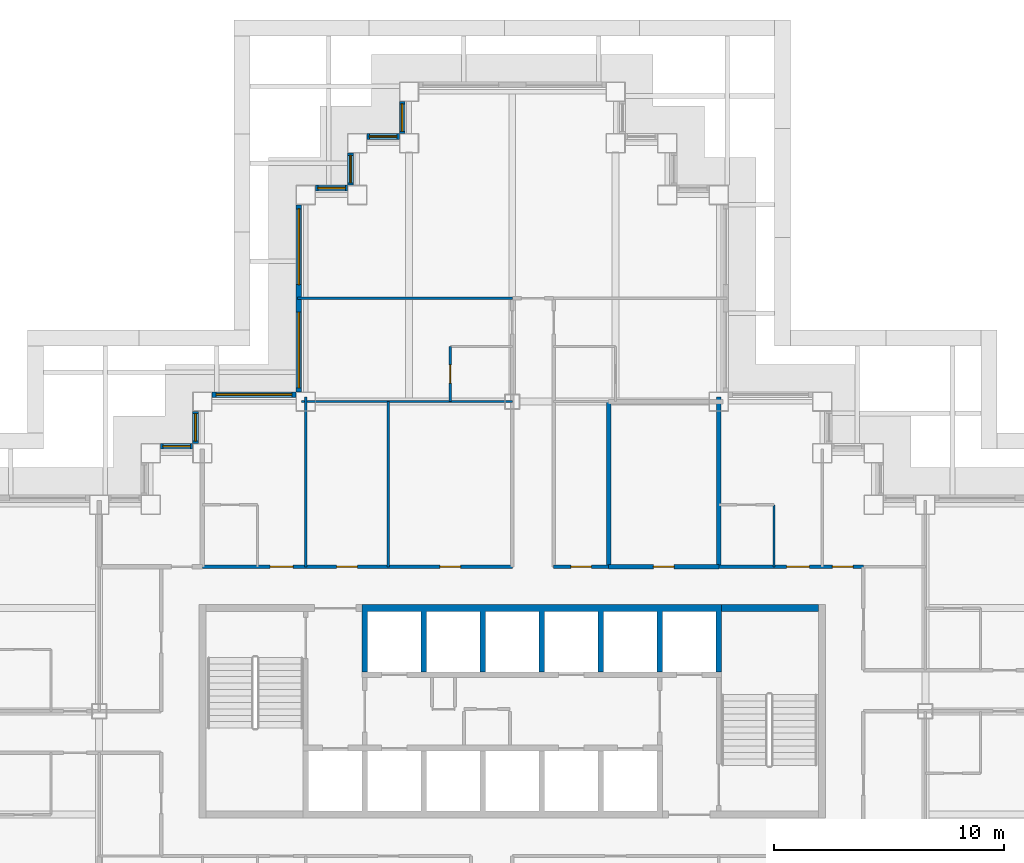
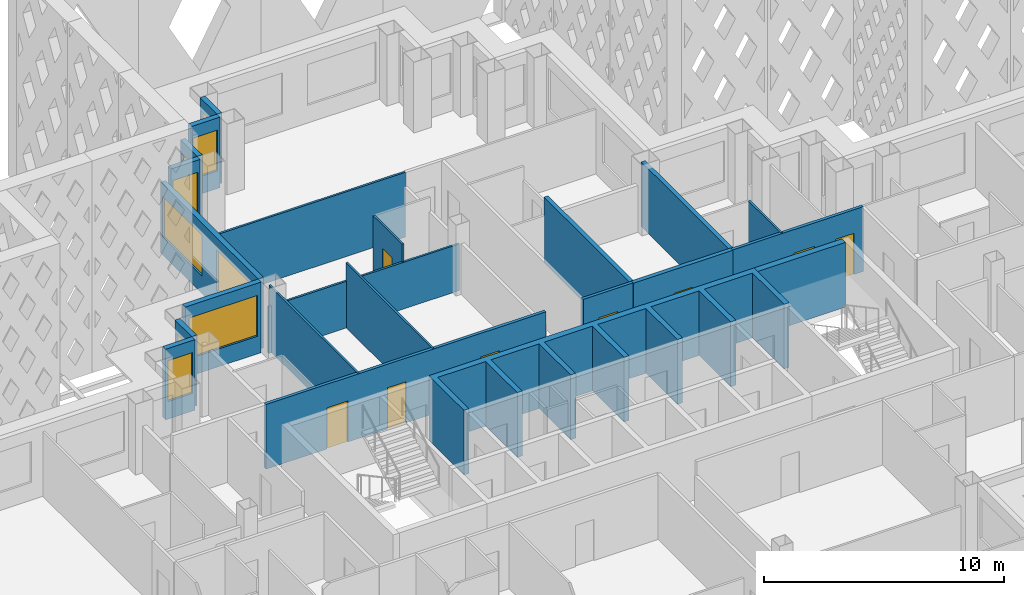
# One storey, part 9 of 21: 22 walls, 9 windows, 8 doors, 17 openings.
"""IFC4 building model written with IfcOpenShell, lengths in metres."""

from ifc_helpers import new_model, si_unit, direction, frame, frame_2d, origin, place, context, subcontext, project, spatial, polyline, rectangle, outline, extrude, material, layer, layer_set, type_object, element, fill, save


model = new_model("IFC4")

# Units and contexts
model_context = context("Model", 3, precision=1e-05, world=origin(), true_north=direction((0.0, 1.0)))
body_context = subcontext(model_context, "Body", "Model", "MODEL_VIEW")
ifc_project = project(units=[si_unit("LENGTHUNIT", "METRE"), si_unit("AREAUNIT", "SQUARE_METRE"), si_unit("VOLUMEUNIT", "CUBIC_METRE"), si_unit("PLANEANGLEUNIT", "RADIAN"), si_unit("MASSUNIT", "GRAM", prefix="KILO")], contexts=[model_context])

# Site, building, storey
site_placement = place(None, origin())
site = spatial("IfcSite", under=ifc_project, at=site_placement, CompositionType="ELEMENT")
building_placement = place(site_placement, origin())
building = spatial("IfcBuilding", under=site, at=building_placement, Name="Caravel Reach Hotel and Residences", CompositionType="ELEMENT")
storey_placement = place(building_placement, frame((0.0, 0.0, 129.60009765625)))
storey = spatial("IfcBuildingStorey", under=building, at=storey_placement, Name="L32", CompositionType="ELEMENT", Elevation=129.60009765625)

# Wall, opening, door
ifc_material_1 = material(Name="Gypsum board on steel stud", Category="steel")
ifc_layer_1 = layer(ifc_material_1, 0.10009765625)
ifc_layer_set_1 = layer_set([ifc_layer_1], Name="Bathroom pod wall 100 mm")
wall_type_1 = type_object("IfcWallType", Name="Bathroom pod wall 100 mm", PredefinedType="PARTITIONING", material=ifc_layer_set_1)
wall_1_placement = place(storey_placement, frame((28.800048828125, 40.5, 0.0), z_axis=(0.0, 0.0, 1.0), x_axis=(0.0, 1.0, 0.0)))
wall_1 = element("IfcWall", 1, at=wall_1_placement, inside=storey, type_object=wall_type_1, Name="L32 wall w087", PredefinedType="PARTITIONING", context=body_context, shape_type="SweptSolid", body=[
    extrude(rectangle(XDim=2.39990234375, YDim=0.10009765625, at=frame_2d((1.199951171875, 0.0))), origin(), (0.0, 0.0, 1.0), 3.2998046875),
])
opening_1_placement = place(wall_1_placement, frame((0.800048828125, 0.0, 0.0)))
opening_1 = element("IfcOpeningElement", 2, at=opening_1_placement, cuts=wall_1, Name="Opening D32-029", PredefinedType="OPENING", context=body_context, shape_type="SweptSolid", body=[
    extrude(rectangle(XDim=0.800048828125, YDim=2.10009765625, at=frame_2d((0.39990234375, 1.050048828125))), frame((0.0, 0.06005859375, 0.0), z_axis=(0.0, -1.0, 0.0), x_axis=(1.0, 0.0, 0.0)), (0.0, 0.0, 1.0), 0.1201171875),
])
ifc_material_2 = material(Name="Timber and steel door leaf", Category="steel")
door_type_1 = type_object("IfcDoorType", Name="Bathroom door 800 x 2100", OperationType="SINGLE_SWING_LEFT", PredefinedType="DOOR", material=ifc_material_2)
door_1_placement = place(opening_1_placement, origin())
door_1 = element("IfcDoor", 3, at=door_1_placement, inside=storey, type_object=door_type_1, Name="door D32-029", OperationType="SINGLE_SWING_RIGHT", OverallHeight=2.10009765625, OverallWidth=0.800048828125, PredefinedType="DOOR", context=body_context, shape_type="SweptSolid", body=[
    extrude(rectangle(XDim=0.800048828125, YDim=2.10009765625, at=frame_2d((0.39990234375, 1.050048828125))), frame((0.0, 0.02490234375, 0.0), z_axis=(0.0, -1.0, 0.0), x_axis=(1.0, 0.0, 0.0)), (0.0, 0.0, 1.0), 0.050048828125),
])
fill(opening_1, door_1)

# Wall
wall_2_placement = place(storey_placement, frame((42.89990234375, 33.300048828125, 0.0), z_axis=(0.0, 0.0, 1.0), x_axis=(0.0, 1.0, 0.0)))
element("IfcWall", 4, at=wall_2_placement, inside=storey, type_object=wall_type_1, Name="L32 wall w090", PredefinedType="PARTITIONING", context=body_context, shape_type="SweptSolid", body=[
    extrude(rectangle(XDim=2.699951171875, YDim=0.10009765625, at=frame_2d((1.35009765625, 0.0))), origin(), (0.0, 0.0, 1.0), 3.2998046875),
])

# Wall, opening, door
ifc_material_3 = material(Name="Autoclaved aerated block wall")
ifc_layer_2 = layer(ifc_material_3, 0.199951171875)
ifc_layer_set_2 = layer_set([ifc_layer_2], Name="Compartment wall 200 mm EI 120")
wall_type_2 = type_object("IfcWallType", Name="Compartment wall 200 mm EI 120", PredefinedType="PARTITIONING", material=ifc_layer_set_2)
wall_3_placement = place(storey_placement, frame((35.699951171875, 33.300048828125, 0.0), z_axis=(0.0, 0.0, 1.0), x_axis=(1.0, 0.0, 0.0)))
wall_3 = element("IfcWall", 5, at=wall_3_placement, inside=storey, type_object=wall_type_2, Name="L32 wall w096", PredefinedType="PARTITIONING", context=body_context, shape_type="SweptSolid", body=[
    extrude(rectangle(XDim=4.800048828125, YDim=0.199951171875, at=frame_2d((2.39990234375, 0.0))), origin(), (0.0, 0.0, 1.0), 3.2998046875),
])
opening_2_placement = place(wall_3_placement, frame((1.949951171875, 0.0, 0.0)))
opening_2 = element("IfcOpeningElement", 6, at=opening_2_placement, cuts=wall_3, Name="Opening D32-053", PredefinedType="OPENING", context=body_context, shape_type="SweptSolid", body=[
    extrude(rectangle(XDim=0.89990234375, YDim=2.10009765625, at=frame_2d((0.449951171875, 1.050048828125))), frame((0.0, 0.10986328125, 0.0), z_axis=(0.0, -1.0, 0.0), x_axis=(1.0, 0.0, 0.0)), (0.0, 0.0, 1.0), 0.219970703125),
])
ifc_material_4 = material(Name="Steel fire door leaf", Category="steel")
door_type_2 = type_object("IfcDoorType", Name="Riser door 900 x 2100 EI 60", OperationType="SINGLE_SWING_LEFT", PredefinedType="DOOR", material=ifc_material_4)
door_2_placement = place(opening_2_placement, origin())
door_2 = element("IfcDoor", 7, at=door_2_placement, inside=storey, type_object=door_type_2, Name="door D32-053", OperationType="SINGLE_SWING_RIGHT", OverallHeight=2.10009765625, OverallWidth=0.89990234375, PredefinedType="DOOR", context=body_context, shape_type="SweptSolid", body=[
    extrude(rectangle(XDim=0.89990234375, YDim=2.10009765625, at=frame_2d((0.449951171875, 1.050048828125))), frame((0.0, 0.02490234375, 0.0), z_axis=(0.0, -1.0, 0.0), x_axis=(1.0, 0.0, 0.0)), (0.0, 0.0, 1.0), 0.050048828125),
])
fill(opening_2, door_2)

# Walls
wall_4_placement = place(storey_placement, frame((35.699951171875, 33.300048828125, 0.0), z_axis=(0.0, 0.0, 1.0), x_axis=(0.0, 1.0, 0.0)))
element("IfcWall", 8, at=wall_4_placement, inside=storey, type_object=wall_type_2, Name="L32 wall w102", PredefinedType="PARTITIONING", context=body_context, shape_type="SweptSolid", body=[
    extrude(rectangle(XDim=7.199951171875, YDim=0.199951171875, at=frame_2d((3.60009765625, 0.0))), origin(), (0.0, 0.0, 1.0), 3.2998046875),
])
wall_5_placement = place(storey_placement, frame((40.5, 33.300048828125, 0.0), z_axis=(0.0, 0.0, 1.0), x_axis=(0.0, 1.0, 0.0)))
element("IfcWall", 9, at=wall_5_placement, inside=storey, type_object=wall_type_2, Name="L32 wall w103", PredefinedType="PARTITIONING", context=body_context, shape_type="SweptSolid", body=[
    extrude(rectangle(XDim=7.389892578125, YDim=0.199951171875, at=frame_2d((3.69482421875, 0.0))), origin(), (0.0, 0.0, 1.0), 3.2998046875),
])
ifc_material_5 = material(Name="Concrete C60", Category="concrete")
ifc_layer_3 = layer(ifc_material_5, 0.300048828125)
ifc_layer_set_3 = layer_set([ifc_layer_3], Name="Core wall 300 mm EI 120")
wall_type_3 = type_object("IfcWallType", Name="Core wall 300 mm EI 120", PredefinedType="SHEAR", material=ifc_layer_set_3)
wall_6_placement = place(storey_placement, frame((40.625, 31.5, 0.0), z_axis=(0.0, 0.0, 1.0), x_axis=(1.0, 0.0, 0.0)))
element("IfcWall", 10, at=wall_6_placement, inside=storey, type_object=wall_type_3, Name="L32 core wall N2", PredefinedType="SHEAR", context=body_context, shape_type="SweptSolid", body=[
    extrude(rectangle(XDim=4.22509765625, YDim=0.300048828125, at=frame_2d((2.112548828125, 0.0))), origin(), (0.0, 0.0, 1.0), 3.2998046875),
])

# Wall, openings, doors
ifc_material_6 = material(Name="Gypsum board on steel stud, fire-rated", Category="steel")
ifc_layer_4 = layer(ifc_material_6, 0.14990234375)
ifc_layer_set_4 = layer_set([ifc_layer_4], Name="Corridor wall 150 mm EI 60")
wall_type_4 = type_object("IfcWallType", Name="Corridor wall 150 mm EI 60", PredefinedType="PARTITIONING", material=ifc_layer_set_4)
wall_7_placement = place(storey_placement, frame((18.0, 33.300048828125, 0.0), z_axis=(0.0, 0.0, 1.0), x_axis=(1.0, 0.0, 0.0)))
wall_7 = element("IfcWall", 11, at=wall_7_placement, inside=storey, type_object=wall_type_4, Name="L32 wall w015", PredefinedType="PARTITIONING", context=body_context, shape_type="SweptSolid", body=[
    extrude(rectangle(XDim=13.5, YDim=0.14990234375, at=frame_2d((6.75, 0.0))), origin(), (0.0, 0.0, 1.0), 3.2998046875),
])
opening_3_placement = place(wall_7_placement, frame((2.949951171875, 0.0, 0.0)))
opening_3 = element("IfcOpeningElement", 12, at=opening_3_placement, cuts=wall_7, Name="Opening D32-040", PredefinedType="OPENING", context=body_context, shape_type="SweptSolid", body=[
    extrude(rectangle(XDim=1.0, YDim=2.10009765625, at=frame_2d((0.5, 1.050048828125))), frame((0.0, 0.0849609375, 0.0), z_axis=(0.0, -1.0, 0.0), x_axis=(1.0, 0.0, 0.0)), (0.0, 0.0, 1.0), 0.169921875),
])
opening_4_placement = place(wall_7_placement, frame((5.85009765625, 0.0, 0.0)))
opening_4 = element("IfcOpeningElement", 13, at=opening_4_placement, cuts=wall_7, Name="Opening D32-050", PredefinedType="OPENING", context=body_context, shape_type="SweptSolid", body=[
    extrude(rectangle(XDim=0.89990234375, YDim=2.10009765625, at=frame_2d((0.449951171875, 1.050048828125))), frame((0.0, 0.0849609375, 0.0), z_axis=(0.0, -1.0, 0.0), x_axis=(1.0, 0.0, 0.0)), (0.0, 0.0, 1.0), 0.169921875),
])
opening_5_placement = place(wall_7_placement, frame((10.35009765625, 0.0, 0.0)))
opening_5 = element("IfcOpeningElement", 14, at=opening_5_placement, cuts=wall_7, Name="Opening D32-051", PredefinedType="OPENING", context=body_context, shape_type="SweptSolid", body=[
    extrude(rectangle(XDim=0.89990234375, YDim=2.10009765625, at=frame_2d((0.449951171875, 1.050048828125))), frame((0.0, 0.0849609375, 0.0), z_axis=(0.0, -1.0, 0.0), x_axis=(1.0, 0.0, 0.0)), (0.0, 0.0, 1.0), 0.169921875),
])
ifc_material_7 = material(Name="Timber and steel door leaf", Category="steel")
door_type_3 = type_object("IfcDoorType", Name="Door 900 x 2100 timber", OperationType="SINGLE_SWING_LEFT", PredefinedType="DOOR", material=ifc_material_7)
door_3_placement = place(opening_4_placement, origin())
door_3 = element("IfcDoor", 15, at=door_3_placement, inside=storey, type_object=door_type_3, Name="door D32-050", OperationType="SINGLE_SWING_RIGHT", OverallHeight=2.10009765625, OverallWidth=0.89990234375, PredefinedType="DOOR", context=body_context, shape_type="SweptSolid", body=[
    extrude(rectangle(XDim=0.89990234375, YDim=2.10009765625, at=frame_2d((0.449951171875, 1.050048828125))), frame((0.0, 0.02490234375, 0.0), z_axis=(0.0, -1.0, 0.0), x_axis=(1.0, 0.0, 0.0)), (0.0, 0.0, 1.0), 0.050048828125),
])
fill(opening_4, door_3)
door_4_placement = place(opening_5_placement, origin())
door_4 = element("IfcDoor", 16, at=door_4_placement, inside=storey, type_object=door_type_3, Name="door D32-051", OperationType="SINGLE_SWING_RIGHT", OverallHeight=2.10009765625, OverallWidth=0.89990234375, PredefinedType="DOOR", context=body_context, shape_type="SweptSolid", body=[
    extrude(rectangle(XDim=0.89990234375, YDim=2.10009765625, at=frame_2d((0.449951171875, 1.050048828125))), frame((0.0, 0.02490234375, 0.0), z_axis=(0.0, -1.0, 0.0), x_axis=(1.0, 0.0, 0.0)), (0.0, 0.0, 1.0), 0.050048828125),
])
fill(opening_5, door_4)
ifc_material_8 = material(Name="Steel fire door leaf", Category="steel")
door_type_4 = type_object("IfcDoorType", Name="Guest room door 1000 x 2100 EI 30", OperationType="SINGLE_SWING_LEFT", PredefinedType="DOOR", material=ifc_material_8)
door_5_placement = place(opening_3_placement, origin())
door_5 = element("IfcDoor", 17, at=door_5_placement, inside=storey, type_object=door_type_4, Name="door D32-040", OperationType="SINGLE_SWING_RIGHT", OverallHeight=2.10009765625, OverallWidth=1.0, PredefinedType="DOOR", context=body_context, shape_type="SweptSolid", body=[
    extrude(rectangle(XDim=1.0, YDim=2.10009765625, at=frame_2d((0.5, 1.050048828125))), frame((0.0, 0.02490234375, 0.0), z_axis=(0.0, -1.0, 0.0), x_axis=(1.0, 0.0, 0.0)), (0.0, 0.0, 1.0), 0.050048828125),
])
fill(opening_3, door_5)

wall_8_placement = place(storey_placement, frame((40.5, 33.300048828125, 0.0), z_axis=(0.0, 0.0, 1.0), x_axis=(1.0, 0.0, 0.0)))
wall_8 = element("IfcWall", 18, at=wall_8_placement, inside=storey, type_object=wall_type_4, Name="L32 wall w016", PredefinedType="PARTITIONING", context=body_context, shape_type="SweptSolid", body=[
    extrude(rectangle(XDim=6.300048828125, YDim=0.14990234375, at=frame_2d((3.14990234375, 0.0))), origin(), (0.0, 0.0, 1.0), 3.2998046875),
])
opening_6_placement = place(wall_8_placement, frame((2.949951171875, 0.0, 0.0)))
opening_6 = element("IfcOpeningElement", 19, at=opening_6_placement, cuts=wall_8, Name="Opening D32-043", PredefinedType="OPENING", context=body_context, shape_type="SweptSolid", body=[
    extrude(rectangle(XDim=1.0, YDim=2.10009765625, at=frame_2d((0.5, 1.050048828125))), frame((0.0, 0.0849609375, 0.0), z_axis=(0.0, -1.0, 0.0), x_axis=(1.0, 0.0, 0.0)), (0.0, 0.0, 1.0), 0.169921875),
])
opening_7_placement = place(wall_8_placement, frame((4.949951171875, 0.0, 0.0)))
opening_7 = element("IfcOpeningElement", 20, at=opening_7_placement, cuts=wall_8, Name="Opening D32-045", PredefinedType="OPENING", context=body_context, shape_type="SweptSolid", body=[
    extrude(rectangle(XDim=0.89990234375, YDim=2.10009765625, at=frame_2d((0.449951171875, 1.050048828125))), frame((0.0, 0.0849609375, 0.0), z_axis=(0.0, -1.0, 0.0), x_axis=(1.0, 0.0, 0.0)), (0.0, 0.0, 1.0), 0.169921875),
])
door_6_placement = place(opening_7_placement, origin())
door_6 = element("IfcDoor", 21, at=door_6_placement, inside=storey, type_object=door_type_3, Name="door D32-045", OperationType="SINGLE_SWING_RIGHT", OverallHeight=2.10009765625, OverallWidth=0.89990234375, PredefinedType="DOOR", context=body_context, shape_type="SweptSolid", body=[
    extrude(rectangle(XDim=0.89990234375, YDim=2.10009765625, at=frame_2d((0.449951171875, 1.050048828125))), frame((0.0, 0.02490234375, 0.0), z_axis=(0.0, -1.0, 0.0), x_axis=(1.0, 0.0, 0.0)), (0.0, 0.0, 1.0), 0.050048828125),
])
fill(opening_7, door_6)
door_7_placement = place(opening_6_placement, origin())
door_7 = element("IfcDoor", 22, at=door_7_placement, inside=storey, type_object=door_type_4, Name="door D32-043", OperationType="SINGLE_SWING_RIGHT", OverallHeight=2.10009765625, OverallWidth=1.0, PredefinedType="DOOR", context=body_context, shape_type="SweptSolid", body=[
    extrude(rectangle(XDim=1.0, YDim=2.10009765625, at=frame_2d((0.5, 1.050048828125))), frame((0.0, 0.02490234375, 0.0), z_axis=(0.0, -1.0, 0.0), x_axis=(1.0, 0.0, 0.0)), (0.0, 0.0, 1.0), 0.050048828125),
])
fill(opening_6, door_7)

# Wall, opening, door
wall_9_placement = place(storey_placement, frame((33.300048828125, 33.300048828125, 0.0), z_axis=(0.0, 0.0, 1.0), x_axis=(1.0, 0.0, 0.0)))
wall_9 = element("IfcWall", 23, at=wall_9_placement, inside=storey, type_object=wall_type_4, Name="L32 wall w019", PredefinedType="PARTITIONING", context=body_context, shape_type="SweptSolid", body=[
    extrude(rectangle(XDim=2.39990234375, YDim=0.14990234375, at=frame_2d((1.199951171875, 0.0))), origin(), (0.0, 0.0, 1.0), 3.2998046875),
])
opening_8_placement = place(wall_9_placement, frame((0.75, 0.0, 0.0)))
opening_8 = element("IfcOpeningElement", 24, at=opening_8_placement, cuts=wall_9, Name="Opening D32-052", PredefinedType="OPENING", context=body_context, shape_type="SweptSolid", body=[
    extrude(rectangle(XDim=0.89990234375, YDim=2.10009765625, at=frame_2d((0.449951171875, 1.050048828125))), frame((0.0, 0.0849609375, 0.0), z_axis=(0.0, -1.0, 0.0), x_axis=(1.0, 0.0, 0.0)), (0.0, 0.0, 1.0), 0.169921875),
])
door_8_placement = place(opening_8_placement, origin())
door_8 = element("IfcDoor", 25, at=door_8_placement, inside=storey, type_object=door_type_3, Name="door D32-052", OperationType="SINGLE_SWING_RIGHT", OverallHeight=2.10009765625, OverallWidth=0.89990234375, PredefinedType="DOOR", context=body_context, shape_type="SweptSolid", body=[
    extrude(rectangle(XDim=0.89990234375, YDim=2.10009765625, at=frame_2d((0.449951171875, 1.050048828125))), frame((0.0, 0.02490234375, 0.0), z_axis=(0.0, -1.0, 0.0), x_axis=(1.0, 0.0, 0.0)), (0.0, 0.0, 1.0), 0.050048828125),
])
fill(opening_8, door_8)

# Wall, opening, window
ifc_material_9 = material(Name="Insulated rainscreen wall, aluminium cladding", Category="aluminium")
ifc_layer_5 = layer(ifc_material_9, 0.25)
ifc_layer_set_5 = layer_set([ifc_layer_5], Name="EW1 Tower rainscreen wall")
wall_type_5 = type_object("IfcWallType", Name="EW1 Tower rainscreen wall", PredefinedType="SOLIDWALL", material=ifc_layer_set_5)
wall_10_placement = place(storey_placement, frame((26.699951171875, 53.574951171875, 0.0), z_axis=(0.0, 0.0, 1.0), x_axis=(0.0, -1.0, 0.0)))
wall_10 = element("IfcWall", 26, at=wall_10_placement, inside=storey, type_object=wall_type_5, Name="External wall L32 W36.1", PredefinedType="SOLIDWALL", context=body_context, shape_type="SweptSolid", body=[
    extrude(rectangle(XDim=1.39990234375, YDim=0.25, at=frame_2d((0.699951171875, 0.0))), origin(), (0.0, 0.0, 1.0), 3.599853515625),
])
opening_9_placement = place(wall_10_placement, frame((0.10009765625, 0.0, 0.89990234375)))
opening_9 = element("IfcOpeningElement", 27, at=opening_9_placement, cuts=wall_10, Name="Opening WN9", PredefinedType="OPENING", context=body_context, shape_type="SweptSolid", body=[
    extrude(rectangle(XDim=1.199951171875, YDim=2.080078125, at=frame_2d((0.60009765625, 1.0400390625))), frame((0.0, 0.135009765625, 0.0), z_axis=(0.0, -1.0, 0.0), x_axis=(1.0, 0.0, 0.0)), (0.0, 0.0, 1.0), 0.27001953125),
])
ifc_material_10 = material(Name="Dark low-e glazing in black aluminium frame", Category="aluminium")
window_type_1 = type_object("IfcWindowType", Name="Hotel suite corner window 1200 x 2080", PartitioningType="SINGLE_PANEL", PredefinedType="WINDOW", material=ifc_material_10)
window_1_placement = place(opening_9_placement, origin())
window_1 = element("IfcWindow", 28, at=window_1_placement, inside=storey, type_object=window_type_1, Name="Window L32 W36.1.1", OverallHeight=2.080078125, OverallWidth=1.199951171875, PartitioningType="SINGLE_PANEL", PredefinedType="WINDOW", context=body_context, shape_type="SweptSolid", body=[
    extrude(rectangle(XDim=1.199951171875, YDim=2.080078125, at=frame_2d((0.60009765625, 1.0400390625))), frame((0.0, 0.030029296875, 0.0), z_axis=(0.0, -1.0, 0.0), x_axis=(1.0, 0.0, 0.0)), (0.0, 0.0, 1.0), 0.06005859375),
])
fill(opening_9, window_1)

wall_11_placement = place(storey_placement, frame((26.574951171875, 52.050048828125, 0.0), z_axis=(0.0, 0.0, 1.0), x_axis=(-1.0, 0.0, 0.0)))
wall_11 = element("IfcWall", 29, at=wall_11_placement, inside=storey, type_object=wall_type_5, Name="External wall L32 N37.1", PredefinedType="SOLIDWALL", context=body_context, shape_type="SweptSolid", body=[
    extrude(rectangle(XDim=1.39990234375, YDim=0.25, at=frame_2d((0.699951171875, 0.0))), origin(), (0.0, 0.0, 1.0), 3.599853515625),
])
opening_10_placement = place(wall_11_placement, frame((0.10009765625, 0.0, 0.89990234375)))
opening_10 = element("IfcOpeningElement", 30, at=opening_10_placement, cuts=wall_11, Name="Opening WN9", PredefinedType="OPENING", context=body_context, shape_type="SweptSolid", body=[
    extrude(rectangle(XDim=1.199951171875, YDim=2.080078125, at=frame_2d((0.60009765625, 1.0400390625))), frame((0.0, 0.135009765625, 0.0), z_axis=(0.0, -1.0, 0.0), x_axis=(1.0, 0.0, 0.0)), (0.0, 0.0, 1.0), 0.27001953125),
])
window_2_placement = place(opening_10_placement, origin())
window_2 = element("IfcWindow", 31, at=window_2_placement, inside=storey, type_object=window_type_1, Name="Window L32 N37.1.1", OverallHeight=2.080078125, OverallWidth=1.199951171875, PartitioningType="SINGLE_PANEL", PredefinedType="WINDOW", context=body_context, shape_type="SweptSolid", body=[
    extrude(rectangle(XDim=1.199951171875, YDim=2.080078125, at=frame_2d((0.60009765625, 1.0400390625))), frame((0.0, 0.030029296875, 0.0), z_axis=(0.0, -1.0, 0.0), x_axis=(1.0, 0.0, 0.0)), (0.0, 0.0, 1.0), 0.06005859375),
])
fill(opening_10, window_2)

wall_12_placement = place(storey_placement, frame((24.449951171875, 51.324951171875, 0.0), z_axis=(0.0, 0.0, 1.0), x_axis=(0.0, -1.0, 0.0)))
wall_12 = element("IfcWall", 32, at=wall_12_placement, inside=storey, type_object=wall_type_5, Name="External wall L32 W38.1", PredefinedType="SOLIDWALL", context=body_context, shape_type="SweptSolid", body=[
    extrude(rectangle(XDim=1.39990234375, YDim=0.25, at=frame_2d((0.699951171875, 0.0))), origin(), (0.0, 0.0, 1.0), 3.599853515625),
])
opening_11_placement = place(wall_12_placement, frame((0.10009765625, 0.0, 0.89990234375)))
opening_11 = element("IfcOpeningElement", 33, at=opening_11_placement, cuts=wall_12, Name="Opening WN9", PredefinedType="OPENING", context=body_context, shape_type="SweptSolid", body=[
    extrude(rectangle(XDim=1.199951171875, YDim=2.080078125, at=frame_2d((0.60009765625, 1.0400390625))), frame((0.0, 0.135009765625, 0.0), z_axis=(0.0, -1.0, 0.0), x_axis=(1.0, 0.0, 0.0)), (0.0, 0.0, 1.0), 0.27001953125),
])
window_3_placement = place(opening_11_placement, origin())
window_3 = element("IfcWindow", 34, at=window_3_placement, inside=storey, type_object=window_type_1, Name="Window L32 W38.1.1", OverallHeight=2.080078125, OverallWidth=1.199951171875, PartitioningType="SINGLE_PANEL", PredefinedType="WINDOW", context=body_context, shape_type="SweptSolid", body=[
    extrude(rectangle(XDim=1.199951171875, YDim=2.080078125, at=frame_2d((0.60009765625, 1.0400390625))), frame((0.0, 0.030029296875, 0.0), z_axis=(0.0, -1.0, 0.0), x_axis=(1.0, 0.0, 0.0)), (0.0, 0.0, 1.0), 0.06005859375),
])
fill(opening_11, window_3)

wall_13_placement = place(storey_placement, frame((24.324951171875, 49.800048828125, 0.0), z_axis=(0.0, 0.0, 1.0), x_axis=(-1.0, 0.0, 0.0)))
wall_13 = element("IfcWall", 35, at=wall_13_placement, inside=storey, type_object=wall_type_5, Name="External wall L32 N39.1", PredefinedType="SOLIDWALL", context=body_context, shape_type="SweptSolid", body=[
    extrude(rectangle(XDim=1.39990234375, YDim=0.25, at=frame_2d((0.699951171875, 0.0))), origin(), (0.0, 0.0, 1.0), 3.599853515625),
])
opening_12_placement = place(wall_13_placement, frame((0.10009765625, 0.0, 0.89990234375)))
opening_12 = element("IfcOpeningElement", 36, at=opening_12_placement, cuts=wall_13, Name="Opening WN9", PredefinedType="OPENING", context=body_context, shape_type="SweptSolid", body=[
    extrude(rectangle(XDim=1.199951171875, YDim=2.080078125, at=frame_2d((0.60009765625, 1.0400390625))), frame((0.0, 0.135009765625, 0.0), z_axis=(0.0, -1.0, 0.0), x_axis=(1.0, 0.0, 0.0)), (0.0, 0.0, 1.0), 0.27001953125),
])
window_4_placement = place(opening_12_placement, origin())
window_4 = element("IfcWindow", 37, at=window_4_placement, inside=storey, type_object=window_type_1, Name="Window L32 N39.1.1", OverallHeight=2.080078125, OverallWidth=1.199951171875, PartitioningType="SINGLE_PANEL", PredefinedType="WINDOW", context=body_context, shape_type="SweptSolid", body=[
    extrude(rectangle(XDim=1.199951171875, YDim=2.080078125, at=frame_2d((0.60009765625, 1.0400390625))), frame((0.0, 0.030029296875, 0.0), z_axis=(0.0, -1.0, 0.0), x_axis=(1.0, 0.0, 0.0)), (0.0, 0.0, 1.0), 0.06005859375),
])
fill(opening_12, window_4)

# Wall, openings, windows
wall_14_placement = place(storey_placement, frame((22.199951171875, 49.074951171875, 0.0), z_axis=(0.0, 0.0, 1.0), x_axis=(0.0, -1.0, 0.0)))
wall_14 = element("IfcWall", 38, at=wall_14_placement, inside=storey, type_object=wall_type_5, Name="External wall L32 W40.1", PredefinedType="SOLIDWALL", context=body_context, shape_type="SweptSolid", body=[
    extrude(rectangle(XDim=8.14990234375, YDim=0.25, at=frame_2d((4.074951171875, 0.0))), origin(), (0.0, 0.0, 1.0), 3.599853515625),
])
opening_13_placement = place(wall_14_placement, frame((0.175048828125, 0.0, 0.89990234375)))
opening_13 = element("IfcOpeningElement", 39, at=opening_13_placement, cuts=wall_14, Name="Opening WN4", PredefinedType="OPENING", context=body_context, shape_type="SweptSolid", body=[
    extrude(rectangle(XDim=3.300048828125, YDim=2.080078125, at=frame_2d((1.64990234375, 1.0400390625))), frame((0.0, 0.135009765625, 0.0), z_axis=(0.0, -1.0, 0.0), x_axis=(1.0, 0.0, 0.0)), (0.0, 0.0, 1.0), 0.27001953125),
])
opening_14_placement = place(wall_14_placement, frame((4.675048828125, 0.0, 0.89990234375)))
opening_14 = element("IfcOpeningElement", 40, at=opening_14_placement, cuts=wall_14, Name="Opening WN4", PredefinedType="OPENING", context=body_context, shape_type="SweptSolid", body=[
    extrude(rectangle(XDim=3.300048828125, YDim=2.080078125, at=frame_2d((1.64990234375, 1.0400390625))), frame((0.0, 0.135009765625, 0.0), z_axis=(0.0, -1.0, 0.0), x_axis=(1.0, 0.0, 0.0)), (0.0, 0.0, 1.0), 0.27001953125),
])
ifc_material_11 = material(Name="Dark low-e glazing in black aluminium frame", Category="aluminium")
window_type_2 = type_object("IfcWindowType", Name="Hotel guest room window 3300 x 2080", PartitioningType="SINGLE_PANEL", PredefinedType="WINDOW", material=ifc_material_11)
window_5_placement = place(opening_13_placement, origin())
window_5 = element("IfcWindow", 41, at=window_5_placement, inside=storey, type_object=window_type_2, Name="Window L32 W40.1.1", OverallHeight=2.080078125, OverallWidth=3.300048828125, PartitioningType="SINGLE_PANEL", PredefinedType="WINDOW", context=body_context, shape_type="SweptSolid", body=[
    extrude(rectangle(XDim=3.300048828125, YDim=2.080078125, at=frame_2d((1.64990234375, 1.0400390625))), frame((0.0, 0.030029296875, 0.0), z_axis=(0.0, -1.0, 0.0), x_axis=(1.0, 0.0, 0.0)), (0.0, 0.0, 1.0), 0.06005859375),
])
fill(opening_13, window_5)
window_6_placement = place(opening_14_placement, origin())
window_6 = element("IfcWindow", 42, at=window_6_placement, inside=storey, type_object=window_type_2, Name="Window L32 W40.1.2", OverallHeight=2.080078125, OverallWidth=3.300048828125, PartitioningType="SINGLE_PANEL", PredefinedType="WINDOW", context=body_context, shape_type="SweptSolid", body=[
    extrude(rectangle(XDim=3.300048828125, YDim=2.080078125, at=frame_2d((1.64990234375, 1.0400390625))), frame((0.0, 0.030029296875, 0.0), z_axis=(0.0, -1.0, 0.0), x_axis=(1.0, 0.0, 0.0)), (0.0, 0.0, 1.0), 0.06005859375),
])
fill(opening_14, window_6)

# Wall, opening, window
wall_15_placement = place(storey_placement, frame((22.074951171875, 40.800048828125, 0.0), z_axis=(0.0, 0.0, 1.0), x_axis=(-1.0, 0.0, 0.0)))
wall_15 = element("IfcWall", 43, at=wall_15_placement, inside=storey, type_object=wall_type_5, Name="External wall L32 N41.1", PredefinedType="SOLIDWALL", context=body_context, shape_type="SweptSolid", body=[
    extrude(rectangle(XDim=3.64990234375, YDim=0.25, at=frame_2d((1.824951171875, 0.0))), origin(), (0.0, 0.0, 1.0), 3.599853515625),
])
opening_15_placement = place(wall_15_placement, frame((0.175048828125, 0.0, 0.89990234375)))
opening_15 = element("IfcOpeningElement", 44, at=opening_15_placement, cuts=wall_15, Name="Opening WN4", PredefinedType="OPENING", context=body_context, shape_type="SweptSolid", body=[
    extrude(rectangle(XDim=3.300048828125, YDim=2.080078125, at=frame_2d((1.64990234375, 1.0400390625))), frame((0.0, 0.135009765625, 0.0), z_axis=(0.0, -1.0, 0.0), x_axis=(1.0, 0.0, 0.0)), (0.0, 0.0, 1.0), 0.27001953125),
])
window_7_placement = place(opening_15_placement, origin())
window_7 = element("IfcWindow", 45, at=window_7_placement, inside=storey, type_object=window_type_2, Name="Window L32 N41.1.1", OverallHeight=2.080078125, OverallWidth=3.300048828125, PartitioningType="SINGLE_PANEL", PredefinedType="WINDOW", context=body_context, shape_type="SweptSolid", body=[
    extrude(rectangle(XDim=3.300048828125, YDim=2.080078125, at=frame_2d((1.64990234375, 1.0400390625))), frame((0.0, 0.030029296875, 0.0), z_axis=(0.0, -1.0, 0.0), x_axis=(1.0, 0.0, 0.0)), (0.0, 0.0, 1.0), 0.06005859375),
])
fill(opening_15, window_7)

wall_16_placement = place(storey_placement, frame((17.699951171875, 40.074951171875, 0.0), z_axis=(0.0, 0.0, 1.0), x_axis=(0.0, -1.0, 0.0)))
wall_16 = element("IfcWall", 46, at=wall_16_placement, inside=storey, type_object=wall_type_5, Name="External wall L32 W42.1", PredefinedType="SOLIDWALL", context=body_context, shape_type="SweptSolid", body=[
    extrude(rectangle(XDim=1.39990234375, YDim=0.25, at=frame_2d((0.699951171875, 0.0))), origin(), (0.0, 0.0, 1.0), 3.599853515625),
])
opening_16_placement = place(wall_16_placement, frame((0.10009765625, 0.0, 0.89990234375)))
opening_16 = element("IfcOpeningElement", 47, at=opening_16_placement, cuts=wall_16, Name="Opening WN9", PredefinedType="OPENING", context=body_context, shape_type="SweptSolid", body=[
    extrude(rectangle(XDim=1.199951171875, YDim=2.080078125, at=frame_2d((0.60009765625, 1.0400390625))), frame((0.0, 0.135009765625, 0.0), z_axis=(0.0, -1.0, 0.0), x_axis=(1.0, 0.0, 0.0)), (0.0, 0.0, 1.0), 0.27001953125),
])
window_8_placement = place(opening_16_placement, origin())
window_8 = element("IfcWindow", 48, at=window_8_placement, inside=storey, type_object=window_type_1, Name="Window L32 W42.1.1", OverallHeight=2.080078125, OverallWidth=1.199951171875, PartitioningType="SINGLE_PANEL", PredefinedType="WINDOW", context=body_context, shape_type="SweptSolid", body=[
    extrude(rectangle(XDim=1.199951171875, YDim=2.080078125, at=frame_2d((0.60009765625, 1.0400390625))), frame((0.0, 0.030029296875, 0.0), z_axis=(0.0, -1.0, 0.0), x_axis=(1.0, 0.0, 0.0)), (0.0, 0.0, 1.0), 0.06005859375),
])
fill(opening_16, window_8)

wall_17_placement = place(storey_placement, frame((17.574951171875, 38.550048828125, 0.0), z_axis=(0.0, 0.0, 1.0), x_axis=(-1.0, 0.0, 0.0)))
wall_17 = element("IfcWall", 49, at=wall_17_placement, inside=storey, type_object=wall_type_5, Name="External wall L32 N43.1", PredefinedType="SOLIDWALL", context=body_context, shape_type="SweptSolid", body=[
    extrude(rectangle(XDim=1.39990234375, YDim=0.25, at=frame_2d((0.699951171875, 0.0))), origin(), (0.0, 0.0, 1.0), 3.599853515625),
])
opening_17_placement = place(wall_17_placement, frame((0.10009765625, 0.0, 0.89990234375)))
opening_17 = element("IfcOpeningElement", 50, at=opening_17_placement, cuts=wall_17, Name="Opening WN9", PredefinedType="OPENING", context=body_context, shape_type="SweptSolid", body=[
    extrude(rectangle(XDim=1.199951171875, YDim=2.080078125, at=frame_2d((0.60009765625, 1.0400390625))), frame((0.0, 0.135009765625, 0.0), z_axis=(0.0, -1.0, 0.0), x_axis=(1.0, 0.0, 0.0)), (0.0, 0.0, 1.0), 0.27001953125),
])
window_9_placement = place(opening_17_placement, origin())
window_9 = element("IfcWindow", 51, at=window_9_placement, inside=storey, type_object=window_type_1, Name="Window L32 N43.1.1", OverallHeight=2.080078125, OverallWidth=1.199951171875, PartitioningType="SINGLE_PANEL", PredefinedType="WINDOW", context=body_context, shape_type="SweptSolid", body=[
    extrude(rectangle(XDim=1.199951171875, YDim=2.080078125, at=frame_2d((0.60009765625, 1.0400390625))), frame((0.0, 0.030029296875, 0.0), z_axis=(0.0, -1.0, 0.0), x_axis=(1.0, 0.0, 0.0)), (0.0, 0.0, 1.0), 0.06005859375),
])
fill(opening_17, window_9)

# Walls
ifc_material_12 = material(Name="Gypsum board on steel stud", Category="steel")
ifc_layer_6 = layer(ifc_material_12, 0.10009765625)
ifc_layer_set_6 = layer_set([ifc_layer_6], Name="Partition 100 mm")
wall_type_6 = type_object("IfcWallType", Name="Partition 100 mm", PredefinedType="PARTITIONING", material=ifc_layer_set_6)
wall_18_placement = place(storey_placement, frame((22.31005859375, 40.5, 0.0), z_axis=(0.0, 0.0, 1.0), x_axis=(1.0, 0.0, 0.0)))
element("IfcWall", 52, at=wall_18_placement, inside=storey, type_object=wall_type_6, Name="L32 wall w043", PredefinedType="PARTITIONING", context=body_context, shape_type="SweptSolid", body=[
    extrude(rectangle(XDim=9.18994140625, YDim=0.10009765625, at=frame_2d((4.594970703125, 0.0))), origin(), (0.0, 0.0, 1.0), 2.3798828125),
])
wall_19_placement = place(storey_placement, frame((22.135009765625, 45.0, 0.0), z_axis=(0.0, 0.0, 1.0), x_axis=(1.0, 0.0, 0.0)))
element("IfcWall", 53, at=wall_19_placement, inside=storey, type_object=wall_type_6, Name="L32 wall w046", PredefinedType="PARTITIONING", context=body_context, shape_type="SweptSolid", body=[
    extrude(rectangle(XDim=9.364990234375, YDim=0.10009765625, at=frame_2d((4.6826171875, 0.0))), origin(), (0.0, 0.0, 1.0), 3.2998046875),
])
wall_20_placement = place(storey_placement, frame((22.5, 33.300048828125, 0.0), z_axis=(0.0, 0.0, 1.0), x_axis=(0.0, 1.0, 0.0)))
element("IfcWall", 54, at=wall_20_placement, inside=storey, type_object=wall_type_6, Name="L32 wall w051", PredefinedType="PARTITIONING", context=body_context, shape_type="SweptSolid", body=[
    extrude(rectangle(XDim=7.389892578125, YDim=0.10009765625, at=frame_2d((3.69482421875, 0.0))), origin(), (0.0, 0.0, 1.0), 3.2998046875),
])
wall_21_placement = place(storey_placement, frame((26.10009765625, 33.300048828125, 0.0), z_axis=(0.0, 0.0, 1.0), x_axis=(0.0, 1.0, 0.0)))
element("IfcWall", 55, at=wall_21_placement, inside=storey, type_object=wall_type_6, Name="L32 wall w053", PredefinedType="PARTITIONING", context=body_context, shape_type="SweptSolid", body=[
    extrude(rectangle(XDim=7.199951171875, YDim=0.10009765625, at=frame_2d((3.60009765625, 0.0))), origin(), (0.0, 0.0, 1.0), 3.2998046875),
])
ifc_material_13 = material(Name="Concrete C60", Category="concrete")
ifc_layer_7 = layer(ifc_material_13, 0.25)
ifc_layer_set_7 = layer_set([ifc_layer_7], Name="Shaft wall 250 mm EI 120")
wall_type_7 = type_object("IfcWallType", Name="Shaft wall 250 mm EI 120", PredefinedType="SHEAR", material=ifc_layer_set_7)
wall_22_placement = place(storey_placement, origin())
element("IfcWall", 56, at=wall_22_placement, inside=storey, type_object=wall_type_7, Name="L32 lift shaft wall N1", PredefinedType="SHEAR", context=body_context, shape_type="SweptSolid", body=[
    extrude(outline(polyline([(24.946533203125, 28.72509765625), (25.196533203125, 28.72509765625), (25.196533203125, 31.35009765625), (27.517822265625, 31.35009765625), (27.517822265625, 28.72509765625), (27.767822265625, 28.72509765625), (27.767822265625, 31.35009765625), (30.08935546875, 31.35009765625), (30.08935546875, 28.72509765625), (30.33935546875, 28.72509765625), (30.33935546875, 31.35009765625), (32.66064453125, 31.35009765625), (32.66064453125, 28.72509765625), (32.91064453125, 28.72509765625), (32.91064453125, 31.35009765625), (35.232177734375, 31.35009765625), (35.232177734375, 28.72509765625), (35.482177734375, 28.72509765625), (35.482177734375, 31.35009765625), (37.803466796875, 31.35009765625), (37.803466796875, 28.72509765625), (38.053466796875, 28.72509765625), (38.053466796875, 31.35009765625), (40.375, 31.35009765625), (40.375, 28.72509765625), (40.625, 28.72509765625), (40.625, 31.64990234375), (24.946533203125, 31.64990234375), (24.946533203125, 28.72509765625)])), origin(), (0.0, 0.0, 1.0), 3.2998046875),
])

save(model, "model.ifc")
